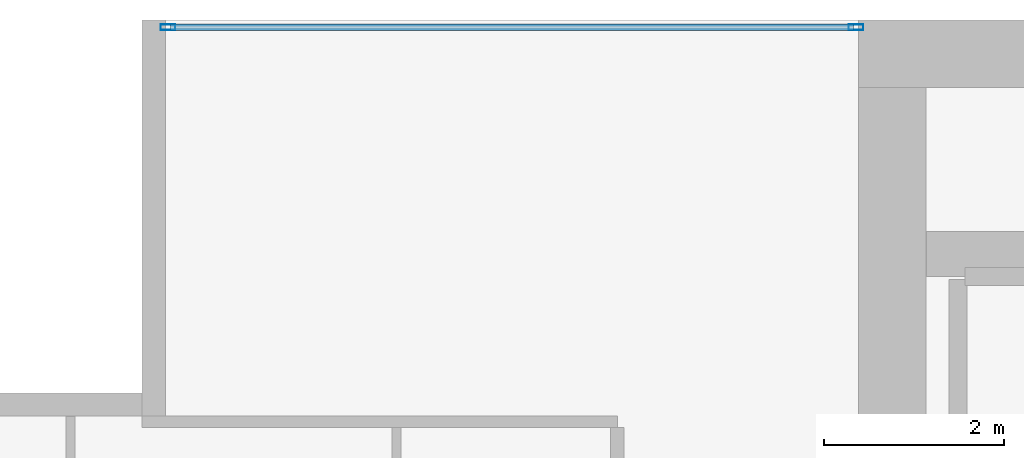
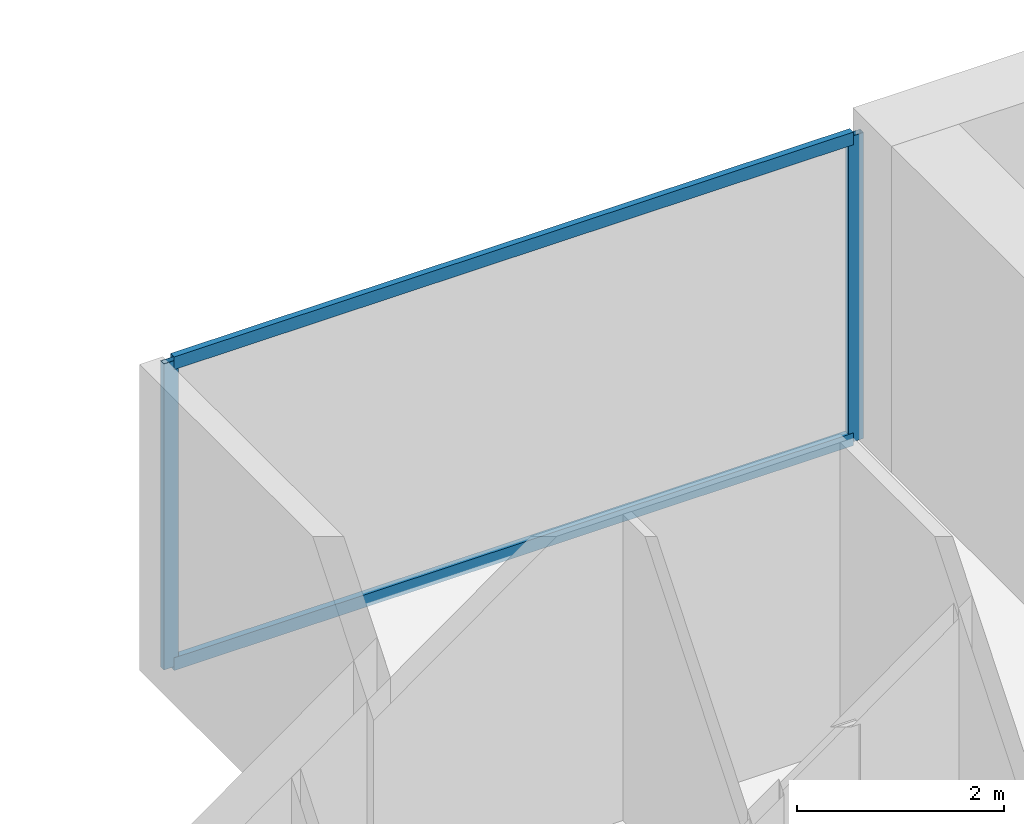
# One storey, part 22 of 32: 4 members, 1 element without a shape of its own.
"""IFC4 building model written with IfcOpenShell, lengths in metres."""

from ifc_helpers import new_model, si_unit, direction, frame, origin, origin_2d, place, context, subcontext, project, spatial, hollow_rectangle, extrude, material, layer, layer_set, material_profile, profile_set, type_object, element, aggregate, save


model = new_model("IFC4")

# Units and contexts
model_context = context("Model", 3, precision=1e-05, world=origin(), true_north=direction((0.0, 1.0)))
body_context = subcontext(model_context, "Body", "Model", "MODEL_VIEW")
ifc_project = project(units=[si_unit("LENGTHUNIT", "METRE"), si_unit("AREAUNIT", "SQUARE_METRE"), si_unit("VOLUMEUNIT", "CUBIC_METRE"), si_unit("PLANEANGLEUNIT", "RADIAN"), si_unit("MASSUNIT", "GRAM", prefix="KILO")], contexts=[model_context])

# Site, building, storey
site_placement = place(None, origin())
site = spatial("IfcSite", under=ifc_project, at=site_placement, CompositionType="ELEMENT")
building_placement = place(site_placement, origin())
building = spatial("IfcBuilding", under=site, at=building_placement, Name="Maruvema Waterfront Hotel and Observation Tower", CompositionType="ELEMENT")
storey_placement = place(building_placement, frame((0.0, 0.0, 162.050048828125)))
storey = spatial("IfcBuildingStorey", under=building, at=storey_placement, Name="L39", CompositionType="ELEMENT", Elevation=162.050048828125)

# Curtain wall, members
ifc_material_1 = material(Name="Anodised bronze aluminium and solar-control low-E IGU", Category="aluminium")
ifc_layer = layer(ifc_material_1, 0.159912109375, Name="Zone 2 Amber Inner Thermal Curtain Wall System CW-03")
ifc_layer_set = layer_set([ifc_layer], Name="Anodised bronze aluminium and solar-control low-E IGU")
curtain_wall_type = type_object("IfcCurtainWallType", Name="Zone 2 Amber Inner Thermal Curtain Wall System CW-03", PredefinedType="USERDEFINED", material=ifc_layer_set)
curtain_wall_placement = place(storey_placement, origin())
curtain_wall = element("IfcCurtainWall", 1, at=curtain_wall_placement, inside=storey, type_object=curtain_wall_type, Name="L39 Curtain Wall CW-L39-NW", ObjectType="UNITISED CURTAIN WALL", PredefinedType="USERDEFINED")
ifc_material_2 = material(Name="Anodised architectural bronze aluminium", Category="aluminium")
ifc_material_profile_1 = material_profile(ifc_material_2, hollow_rectangle(XDim=0.070068359375, YDim=0.14990234375, WallThickness=0.00390625, at=origin_2d()), Name="ALU-T70x150")
ifc_profile_set_1 = profile_set([ifc_material_profile_1], Name="Anodised architectural bronze aluminium")
member_type_1 = type_object("IfcMemberType", Name="Curtain Wall Horizontal Transom ALU-T70x150", PredefinedType="USERDEFINED", material=ifc_profile_set_1)
member_1_placement = place(storey_placement, frame((25.139892578125, 53.919921875, 0.030029296875), z_axis=(-1.0, 0.0, 0.0), x_axis=(0.0, -1.0, 0.0)))
member_1 = element("IfcMember", 2, at=member_1_placement, type_object=member_type_1, Name="CW-03 transom 1.1", ObjectType="TRANSOM", PredefinedType="USERDEFINED", context=body_context, shape_type="SweptSolid", body=[
    extrude(hollow_rectangle(XDim=0.070068359375, YDim=0.14990234375, WallThickness=0.00390625, at=origin_2d()), origin(), (0.0, 0.0, 1.0), 7.579833984375),
])
member_2_placement = place(storey_placement, frame((25.139892578125, 53.919921875, 3.579833984375), z_axis=(-1.0, 0.0, 0.0), x_axis=(0.0, -1.0, 0.0)))
member_2 = element("IfcMember", 3, at=member_2_placement, type_object=member_type_1, Name="CW-03 transom 1.2", ObjectType="TRANSOM", PredefinedType="USERDEFINED", context=body_context, shape_type="SweptSolid", body=[
    extrude(hollow_rectangle(XDim=0.070068359375, YDim=0.14990234375, WallThickness=0.00390625, at=origin_2d()), origin(), (0.0, 0.0, 1.0), 7.579833984375),
])
ifc_material_3 = material(Name="Anodised architectural bronze aluminium", Category="aluminium")
ifc_material_profile_2 = material_profile(ifc_material_3, hollow_rectangle(XDim=0.06494140625, YDim=0.1650390625, WallThickness=0.00390625, at=origin_2d()), Name="ALU-M65x165")
ifc_profile_set_2 = profile_set([ifc_material_profile_2], Name="Anodised architectural bronze aluminium")
member_type_2 = type_object("IfcMemberType", Name="Curtain Wall Primary Mullion ALU-M65x165", PredefinedType="MULLION", material=ifc_profile_set_2)
member_3_placement = place(storey_placement, frame((25.169921875, 53.919921875, 0.0), z_axis=(0.0, 0.0, 1.0), x_axis=(0.0, -1.0, 0.0)))
member_3 = element("IfcMember", 4, at=member_3_placement, type_object=member_type_2, Name="CW-03 mullion 1", PredefinedType="MULLION", context=body_context, shape_type="SweptSolid", body=[
    extrude(hollow_rectangle(XDim=0.06494140625, YDim=0.1650390625, WallThickness=0.00390625, at=origin_2d()), origin(), (0.0, 0.0, 1.0), 3.60986328125),
])
member_4_placement = place(storey_placement, frame((17.530029296875, 53.919921875, 0.0), z_axis=(0.0, 0.0, 1.0), x_axis=(0.0, -1.0, 0.0)))
member_4 = element("IfcMember", 5, at=member_4_placement, type_object=member_type_2, Name="CW-03 mullion 2", PredefinedType="MULLION", context=body_context, shape_type="SweptSolid", body=[
    extrude(hollow_rectangle(XDim=0.06494140625, YDim=0.1650390625, WallThickness=0.00390625, at=origin_2d()), origin(), (0.0, 0.0, 1.0), 3.60986328125),
])
aggregate(curtain_wall, [member_3, member_4, member_1, member_2])

save(model, "model.ifc")
